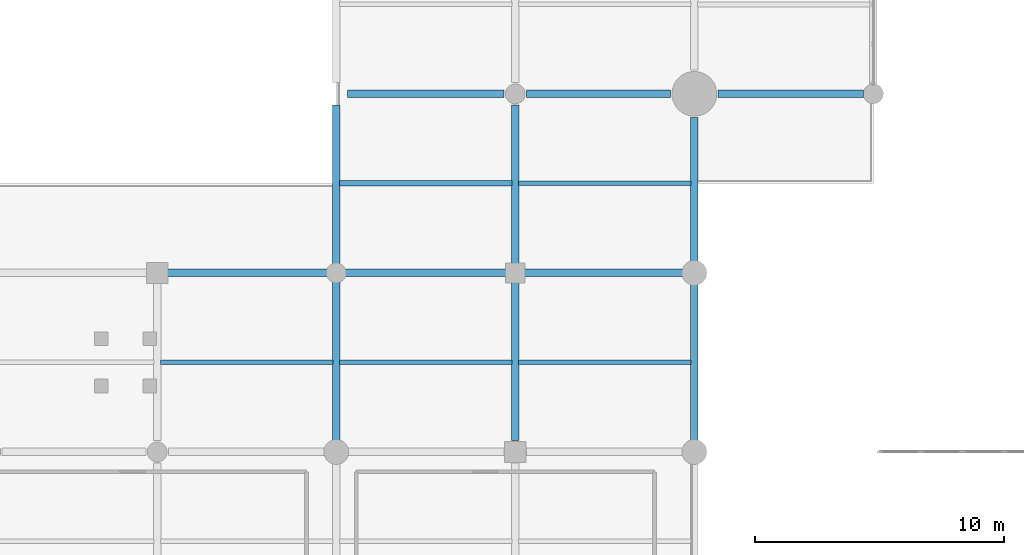
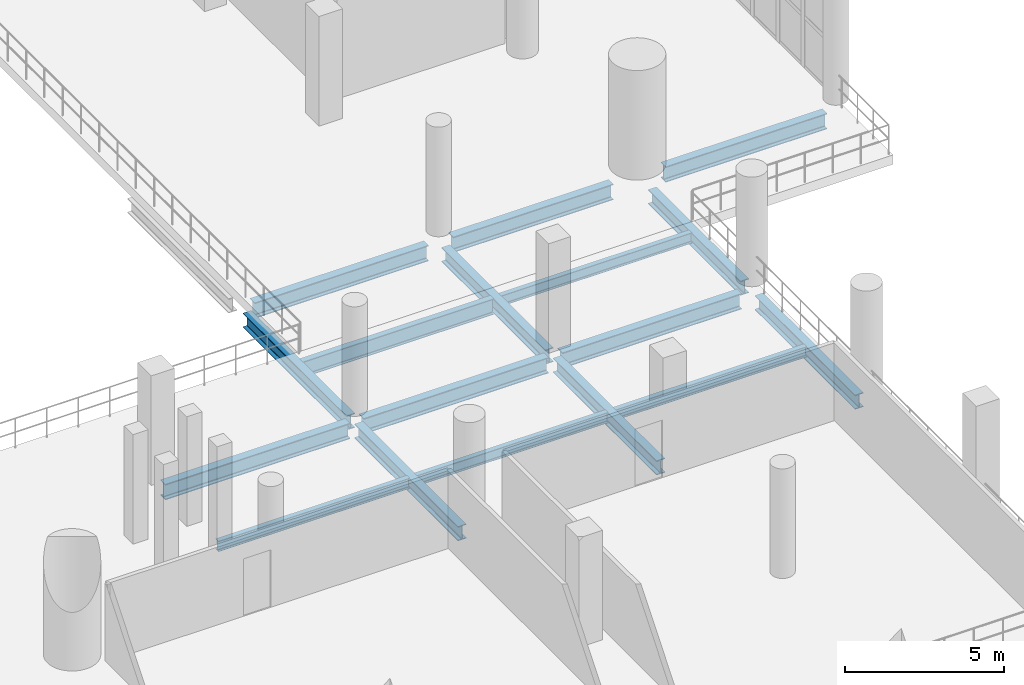
# One storey, part 34 of 153: 17 beams.
"""IFC4 building model written with IfcOpenShell, lengths in metres."""

from ifc_helpers import new_model, si_unit, direction, frame, origin, origin_2d, place, context, subcontext, project, spatial, i_section, extrude, material, material_profile, profile_set, type_object, element, save


model = new_model("IFC4")

# Units and contexts
model_context = context("Model", 3, precision=1e-05, world=origin(), true_north=direction((0.0, 1.0)))
body_context = subcontext(model_context, "Body", "Model", "MODEL_VIEW")
ifc_project = project(units=[si_unit("LENGTHUNIT", "METRE"), si_unit("AREAUNIT", "SQUARE_METRE"), si_unit("VOLUMEUNIT", "CUBIC_METRE"), si_unit("PLANEANGLEUNIT", "RADIAN"), si_unit("MASSUNIT", "GRAM", prefix="KILO")], contexts=[model_context])

# Site, building, storey
site_placement = place(None, origin())
site = spatial("IfcSite", under=ifc_project, at=site_placement, CompositionType="ELEMENT")
building_placement = place(site_placement, origin())
building = spatial("IfcBuilding", under=site, at=building_placement, Name="Qandorah Velis Arena", CompositionType="ELEMENT")
storey_placement = place(building_placement, frame((0.0, 0.0, 5.39990234375)))
storey = spatial("IfcBuildingStorey", under=building, at=storey_placement, Name="L01", CompositionType="ELEMENT", Elevation=5.39990234375)

# Beams
ifc_material = material(Name="Steel S355", Category="steel")
ifc_material_profile_1 = material_profile(ifc_material, i_section(OverallWidth=0.300048828125, OverallDepth=0.550048828125, WebThickness=0.014892578125, FlangeThickness=0.029052734375, FilletRadius=0.027099609375, at=origin_2d()), Name="HEB 550")
ifc_profile_set_1 = profile_set([ifc_material_profile_1], Name="Steel S355")
beam_type_1 = type_object("IfcBeamType", Name="STR-BM-HEB550", PredefinedType="BEAM", material=ifc_profile_set_1)
for number, where, z_axis, x_axis, name in (
    (1, (100.800048828125, 14.85009765625, -0.635009765625), (0.0, 1.0, 0.0), (-1.0, 0.0, 0.0), "Primary floor girder L01 Y-352"),
    (2, (100.800048828125, 21.85009765625, -0.635009765625), (0.0, 1.0, 0.0), (-1.0, 0.0, 0.0), "Primary floor girder L01 Y-353"),
    (3, (108.0, 14.85009765625, -0.635009765625), (0.0, 1.0, 0.0), (-1.0, 0.0, 0.0), "Primary floor girder L01 Y-361"),
    (4, (108.0, 21.85009765625, -0.635009765625), (0.0, 1.0, 0.0), (-1.0, 0.0, 0.0), "Primary floor girder L01 Y-362"),
):
    element("IfcBeam", number, at=place(storey_placement, frame(where, z_axis=z_axis, x_axis=x_axis)), inside=storey, type_object=beam_type_1, Name=name, PredefinedType="BEAM", context=body_context, shape_type="SweptSolid", body=[
        extrude(i_section(OverallWidth=0.300048828125, OverallDepth=0.550048828125, WebThickness=0.014892578125, FlangeThickness=0.029052734375, FilletRadius=0.027099609375, at=origin_2d()), origin(), (0.0, 0.0, 1.0), 6.5),
    ])
beam_1_placement = place(storey_placement, frame((115.199951171875, 14.85009765625, -0.635009765625), z_axis=(0.0, 1.0, 0.0), x_axis=(-1.0, 0.0, 0.0)))
element("IfcBeam", 5, at=beam_1_placement, inside=storey, type_object=beam_type_1, Name="Primary floor girder L01 Y-379", PredefinedType="BEAM", context=body_context, shape_type="SweptSolid", body=[
    extrude(i_section(OverallWidth=0.300048828125, OverallDepth=0.550048828125, WebThickness=0.014892578125, FlangeThickness=0.029052734375, FilletRadius=0.027099609375, at=origin_2d()), origin(), (0.0, 0.0, 1.0), 6.2998046875),
])
beam_2_placement = place(storey_placement, frame((115.199951171875, 22.050048828125, -0.635009765625), z_axis=(0.0, 1.0, 0.0), x_axis=(-1.0, 0.0, 0.0)))
element("IfcBeam", 6, at=beam_2_placement, inside=storey, type_object=beam_type_1, Name="Primary floor girder L01 Y-380", PredefinedType="BEAM", context=body_context, shape_type="SweptSolid", body=[
    extrude(i_section(OverallWidth=0.300048828125, OverallDepth=0.550048828125, WebThickness=0.014892578125, FlangeThickness=0.029052734375, FilletRadius=0.027099609375, at=origin_2d()), origin(), (0.0, 0.0, 1.0), 5.800048828125),
])
ifc_material_profile_2 = material_profile(ifc_material, i_section(OverallWidth=0.300048828125, OverallDepth=0.60009765625, WebThickness=0.015380859375, FlangeThickness=0.030029296875, FilletRadius=0.027099609375, at=origin_2d()), Name="HEB 600")
ifc_profile_set_2 = profile_set([ifc_material_profile_2], Name="Steel S355")
beam_type_2 = type_object("IfcBeamType", Name="STR-BM-HEB600", PredefinedType="BEAM", material=ifc_profile_set_2)
for number, where, z_axis, x_axis, name in (
    (7, (93.85009765625, 21.60009765625, -0.659912109375), (1.0, 0.0, 0.0), (0.0, 1.0, 0.0), "Primary floor girder L01 X-062"),
    (8, (101.050048828125, 21.60009765625, -0.659912109375), (1.0, 0.0, 0.0), (0.0, 1.0, 0.0), "Primary floor girder L01 X-063"),
):
    element("IfcBeam", number, at=place(storey_placement, frame(where, z_axis=z_axis, x_axis=x_axis)), inside=storey, type_object=beam_type_2, Name=name, PredefinedType="BEAM", context=body_context, shape_type="SweptSolid", body=[
        extrude(i_section(OverallWidth=0.300048828125, OverallDepth=0.60009765625, WebThickness=0.015380859375, FlangeThickness=0.030029296875, FilletRadius=0.027099609375, at=origin_2d()), origin(), (0.0, 0.0, 1.0), 6.699951171875),
    ])
beam_3_placement = place(storey_placement, frame((108.25, 21.60009765625, -0.659912109375), z_axis=(1.0, 0.0, 0.0), x_axis=(0.0, 1.0, 0.0)))
element("IfcBeam", 9, at=beam_3_placement, inside=storey, type_object=beam_type_2, Name="Primary floor girder L01 X-064", PredefinedType="BEAM", context=body_context, shape_type="SweptSolid", body=[
    extrude(i_section(OverallWidth=0.300048828125, OverallDepth=0.60009765625, WebThickness=0.015380859375, FlangeThickness=0.030029296875, FilletRadius=0.027099609375, at=origin_2d()), origin(), (0.0, 0.0, 1.0), 6.5),
])
beam_4_placement = place(storey_placement, frame((101.25, 28.800048828125, -0.659912109375), z_axis=(1.0, 0.0, 0.0), x_axis=(0.0, 1.0, 0.0)))
element("IfcBeam", 10, at=beam_4_placement, inside=storey, type_object=beam_type_2, Name="Primary floor girder L01 X-069", PredefinedType="BEAM", context=body_context, shape_type="SweptSolid", body=[
    extrude(i_section(OverallWidth=0.300048828125, OverallDepth=0.60009765625, WebThickness=0.015380859375, FlangeThickness=0.030029296875, FilletRadius=0.027099609375, at=origin_2d()), origin(), (0.0, 0.0, 1.0), 6.300048828125),
])
beam_5_placement = place(storey_placement, frame((108.449951171875, 28.800048828125, -0.659912109375), z_axis=(1.0, 0.0, 0.0), x_axis=(0.0, 1.0, 0.0)))
element("IfcBeam", 11, at=beam_5_placement, inside=storey, type_object=beam_type_2, Name="Primary floor girder L01 X-070", PredefinedType="BEAM", context=body_context, shape_type="SweptSolid", body=[
    extrude(i_section(OverallWidth=0.300048828125, OverallDepth=0.60009765625, WebThickness=0.015380859375, FlangeThickness=0.030029296875, FilletRadius=0.027099609375, at=origin_2d()), origin(), (0.0, 0.0, 1.0), 5.800048828125),
])
beam_6_placement = place(storey_placement, frame((116.14990234375, 28.800048828125, -0.659912109375), z_axis=(1.0, 0.0, 0.0), x_axis=(0.0, 1.0, 0.0)))
element("IfcBeam", 12, at=beam_6_placement, inside=storey, type_object=beam_type_2, Name="Primary floor girder L01 X-071", PredefinedType="BEAM", context=body_context, shape_type="SweptSolid", body=[
    extrude(i_section(OverallWidth=0.300048828125, OverallDepth=0.60009765625, WebThickness=0.015380859375, FlangeThickness=0.030029296875, FilletRadius=0.027099609375, at=origin_2d()), origin(), (0.0, 0.0, 1.0), 5.85009765625),
])
ifc_material_profile_3 = material_profile(ifc_material, i_section(OverallWidth=0.179931640625, OverallDepth=0.39990234375, WebThickness=0.008544921875, FlangeThickness=0.013427734375, FilletRadius=0.02099609375, at=origin_2d()), Name="IPE 400")
ifc_profile_set_3 = profile_set([ifc_material_profile_3], Name="Steel S355")
beam_type_3 = type_object("IfcBeamType", Name="STR-JST-IPE400", PredefinedType="JOIST", material=ifc_profile_set_3)
for number, where, z_axis, x_axis, name in (
    (13, (93.735107421875, 18.0, -0.559814453125), (1.0, 0.0, 0.0), (0.0, 1.0, 0.0), "Secondary floor joist L01-105"),
    (14, (100.93505859375, 18.0, -0.559814453125), (1.0, 0.0, 0.0), (0.0, 1.0, 0.0), "Secondary floor joist L01-110"),
    (15, (108.135009765625, 18.0, -0.559814453125), (1.0, 0.0, 0.0), (0.0, 1.0, 0.0), "Secondary floor joist L01-119"),
    (16, (108.135009765625, 25.199951171875, -0.559814453125), (1.0, 0.0, 0.0), (0.0, 1.0, 0.0), "Secondary floor joist L01-120"),
):
    element("IfcBeam", number, at=place(storey_placement, frame(where, z_axis=z_axis, x_axis=x_axis)), inside=storey, type_object=beam_type_3, Name=name, PredefinedType="JOIST", context=body_context, shape_type="SweptSolid", body=[
        extrude(i_section(OverallWidth=0.179931640625, OverallDepth=0.39990234375, WebThickness=0.008544921875, FlangeThickness=0.013427734375, FilletRadius=0.02099609375, at=origin_2d()), origin(), (0.0, 0.0, 1.0), 6.929931640625),
    ])
ifc_material_profile_4 = material_profile(ifc_material, i_section(OverallWidth=0.219970703125, OverallDepth=0.60009765625, WebThickness=0.011962890625, FlangeThickness=0.01904296875, FilletRadius=0.02392578125, at=origin_2d()), Name="IPE 600")
ifc_profile_set_4 = profile_set([ifc_material_profile_4], Name="Steel S355")
beam_type_4 = type_object("IfcBeamType", Name="STR-JST-IPE600", PredefinedType="JOIST", material=ifc_profile_set_4)
beam_7_placement = place(storey_placement, frame((100.93505859375, 25.199951171875, -0.659912109375), z_axis=(1.0, 0.0, 0.0), x_axis=(0.0, 1.0, 0.0)))
element("IfcBeam", 17, at=beam_7_placement, inside=storey, type_object=beam_type_4, Name="Secondary floor joist L01-111", PredefinedType="JOIST", context=body_context, shape_type="SweptSolid", body=[
    extrude(i_section(OverallWidth=0.219970703125, OverallDepth=0.60009765625, WebThickness=0.011962890625, FlangeThickness=0.01904296875, FilletRadius=0.02392578125, at=origin_2d()), origin(), (0.0, 0.0, 1.0), 6.929931640625),
])

save(model, "model.ifc")
